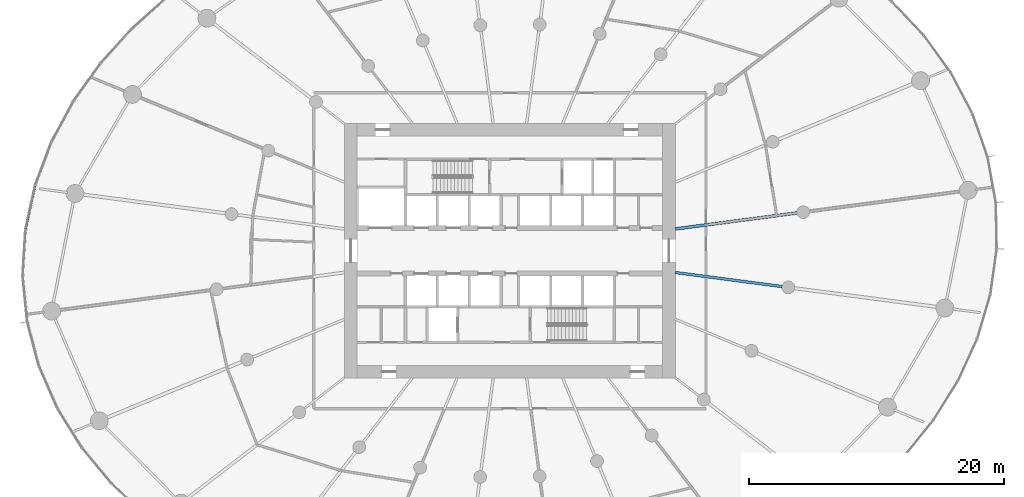
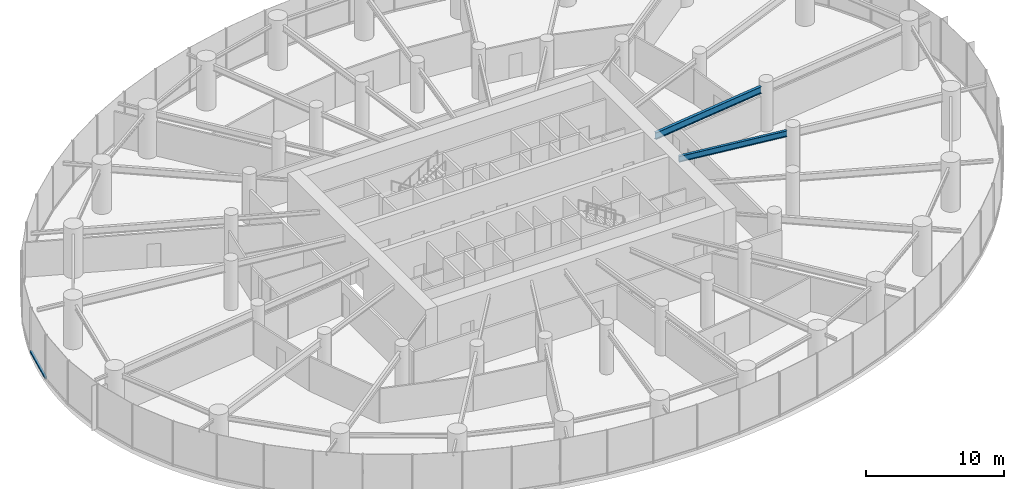
# One storey, part 5 of 17: 2 beams, 1 member, 1 element without a shape of its own.
"""IFC4 building model written with IfcOpenShell, lengths in metres."""

from ifc_helpers import new_model, si_unit, direction, frame, origin, origin_2d, place, context, subcontext, project, spatial, rectangle, i_section, extrude, source, transform, mapped, material, layer, layer_set, material_profile, profile_set, type_object, element, aggregate, save


model = new_model("IFC4")

# Units and contexts
model_context = context("Model", 3, precision=1e-05, world=origin(), true_north=direction((0.0, 1.0)))
body_context = subcontext(model_context, "Body", "Model", "MODEL_VIEW")
ifc_project = project(units=[si_unit("LENGTHUNIT", "METRE"), si_unit("AREAUNIT", "SQUARE_METRE"), si_unit("VOLUMEUNIT", "CUBIC_METRE"), si_unit("PLANEANGLEUNIT", "RADIAN"), si_unit("MASSUNIT", "GRAM", prefix="KILO")], contexts=[model_context])

# Site, building, storey
site_placement = place(None, origin())
site = spatial("IfcSite", under=ifc_project, at=site_placement, CompositionType="ELEMENT")
building_placement = place(site_placement, origin())
building = spatial("IfcBuilding", under=site, at=building_placement, Name="Spindrift Exchange Tower", CompositionType="ELEMENT")
storey_placement = place(building_placement, frame((0.0, 0.0, 35.800048828125)))
storey = spatial("IfcBuildingStorey", under=building, at=storey_placement, Name="L08", CompositionType="ELEMENT", Elevation=35.800048828125)

# Beams
ifc_material_1 = material(Name="Steel Grade 300", Category="steel")
ifc_material_profile_1 = material_profile(ifc_material_1, i_section(OverallWidth=0.22802734375, OverallDepth=0.60693359375, WebThickness=0.01123046875, FlangeThickness=0.017333984375, FilletRadius=0.013916015625, at=origin_2d()), Name="610UB113")
ifc_profile_set_1 = profile_set([ifc_material_profile_1], Name="Steel Grade 300")
beam_type_1 = type_object("IfcBeamType", Name="Floor Beam 610UB113 Steel Grade 300", PredefinedType="BEAM", material=ifc_profile_set_1)
shared_shape_1 = source(origin(), body_context, "Body", "SweptSolid", [
    extrude(i_section(OverallWidth=0.22802734375, OverallDepth=0.60693359375, WebThickness=0.01123046875, FlangeThickness=0.017333984375, FilletRadius=0.013916015625, at=origin_2d()), origin(), (0.0, 0.0, 1.0), 9.660400390625),
])
beam_1_placement = place(storey_placement, frame((64.980224609375, 49.708984375, 3.646484375), z_axis=(0.99144767089, 0.130504850054, 0.0), x_axis=(-0.130504850054, 0.99144767089, 0.0)))
element("IfcBeam", 1, at=beam_1_placement, inside=storey, type_object=beam_type_1, Name="L08 radial beam R01A", PredefinedType="BEAM", context=body_context, shape_type="MappedRepresentation", body=[
    mapped(shared_shape_1, transform((0.0, 0.0, 0.0), scale=1.0)),
])
ifc_material_profile_2 = material_profile(ifc_material_1, i_section(OverallWidth=0.208984375, OverallDepth=0.532958984375, WebThickness=0.01025390625, FlangeThickness=0.015625, FilletRadius=0.013916015625, at=origin_2d()), Name="530UB92.4")
ifc_profile_set_2 = profile_set([ifc_material_profile_2], Name="Steel Grade 300")
beam_type_2 = type_object("IfcBeamType", Name="Floor Beam 530UB92.4 Steel Grade 300", PredefinedType="BEAM", material=ifc_profile_set_2)
shared_shape_2 = source(origin(), body_context, "Body", "SweptSolid", [
    extrude(i_section(OverallWidth=0.208984375, OverallDepth=0.532958984375, WebThickness=0.01025390625, FlangeThickness=0.015625, FilletRadius=0.013916015625, at=origin_2d()), origin(), (0.0, 0.0, 1.0), 8.4794921875),
])
beam_2_placement = place(storey_placement, frame((64.980224609375, 46.291015625, 3.683349609375), z_axis=(0.991446551951, -0.13051335037, 0.0), x_axis=(0.13051335037, 0.991446551951, 0.0)))
element("IfcBeam", 2, at=beam_2_placement, inside=storey, type_object=beam_type_2, Name="L08 radial beam R24A", PredefinedType="BEAM", context=body_context, shape_type="MappedRepresentation", body=[
    mapped(shared_shape_2, transform((0.0, 0.0, 0.0), scale=1.0)),
])

# Curtain wall, member
ifc_material_2 = material(Name="Fritted laminated glass with bronze frame", Category="glass")
ifc_layer = layer(ifc_material_2, 0.199951171875)
ifc_layer_set = layer_set([ifc_layer], Name="ZONE 1 BRONZE FRITTED WALL")
curtain_wall_type = type_object("IfcCurtainWallType", Name="ZONE 1 BRONZE FRITTED WALL", PredefinedType="NOTDEFINED", material=ifc_layer_set)
curtain_wall_placement = place(storey_placement, origin())
curtain_wall = element("IfcCurtainWall", 3, at=curtain_wall_placement, inside=storey, type_object=curtain_wall_type, Name="L08 Zone 1 Bronze Fritted Wall run 5", PredefinedType="NOTDEFINED")
ifc_material_3 = material(Name="Bronze anodised aluminium", Category="aluminium")
ifc_material_profile_3 = material_profile(ifc_material_3, rectangle(XDim=0.179931640625, YDim=0.14990234375, at=origin_2d()), Name="ZONE 1 BRONZE FRITTED WALL TRANSOM 180X150")
ifc_profile_set_3 = profile_set([ifc_material_profile_3], Name="Bronze anodised aluminium")
member_type = type_object("IfcMemberType", Name="ZONE 1 BRONZE FRITTED WALL TRANSOM 180X150", PredefinedType="USERDEFINED", material=ifc_profile_set_3)
shared_shape_3 = source(origin(), body_context, "Body", "SweptSolid", [
    extrude(rectangle(XDim=0.179931640625, YDim=0.14990234375, at=origin_2d()), origin(), (0.0, 0.0, 1.0), 3.544921875),
])
member_placement = place(storey_placement, frame((14.7099609375, 53.1474609375, 0.074951171875), z_axis=(-0.212604055541, -0.977138432141, 0.0), x_axis=(0.977138432141, -0.212604055541, 0.0)))
member = element("IfcMember", 4, at=member_placement, type_object=member_type, Name="L08 transom CW-1.28", ObjectType="TRANSOM", PredefinedType="USERDEFINED", context=body_context, shape_type="MappedRepresentation", body=[
    mapped(shared_shape_3, transform((0.0, 0.0, 0.0), scale=1.0)),
])
aggregate(curtain_wall, [member])

save(model, "model.ifc")
